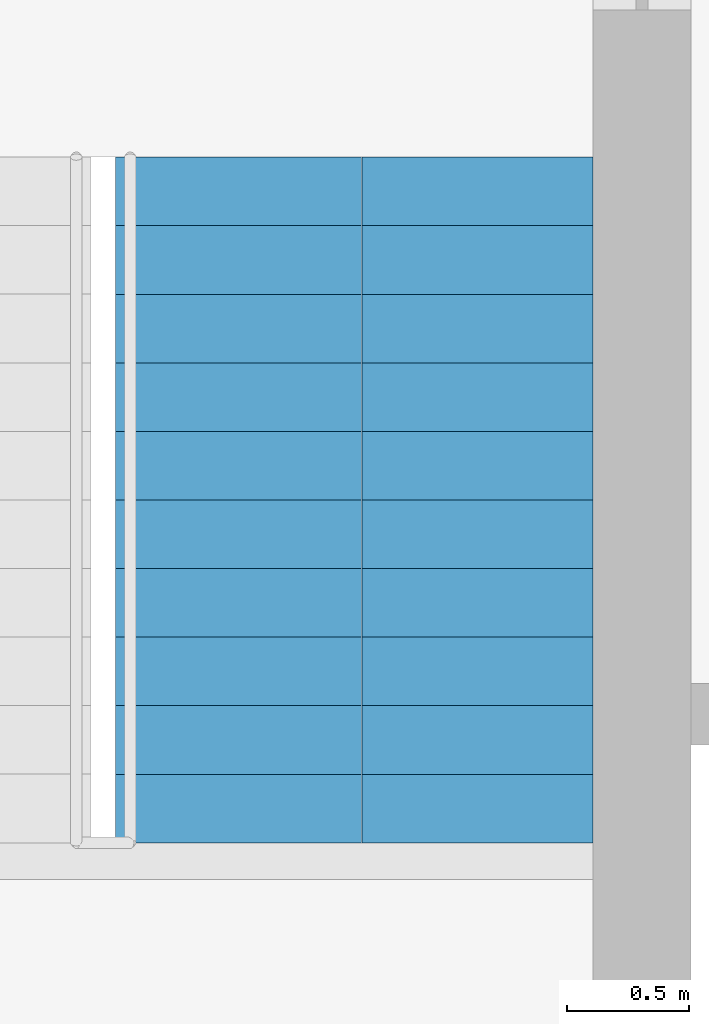
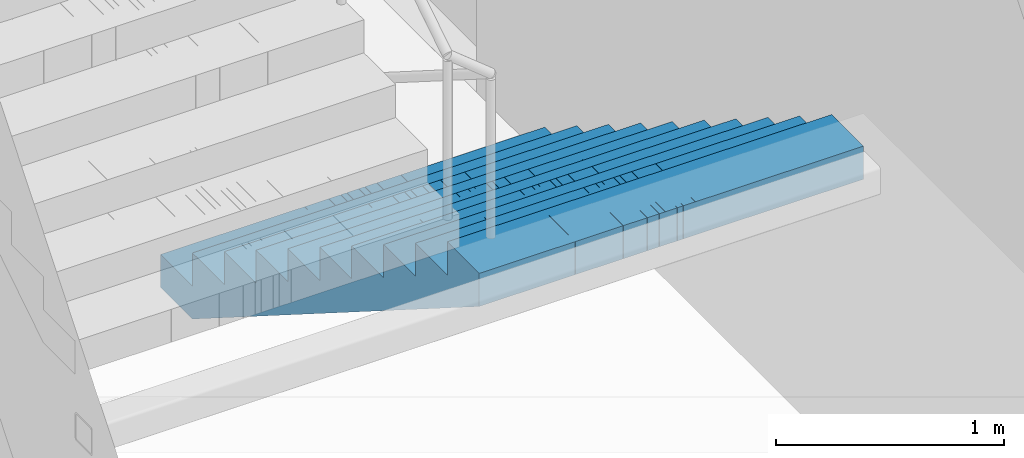
# One storey, part 15 of 16: 1 stair flight, 1 element without a shape of its own.
"""IFC4 building model written with IfcOpenShell, lengths in metres."""

from ifc_helpers import new_model, si_unit, direction, frame, origin, place, context, subcontext, project, spatial, polyline, outline, extrude, material, type_object, element, aggregate, save


model = new_model("IFC4")

# Units and contexts
model_context = context("Model", 3, precision=1e-05, world=origin(), true_north=direction((0.0, 1.0)))
body_context = subcontext(model_context, "Body", "Model", "MODEL_VIEW")
ifc_project = project(units=[si_unit("LENGTHUNIT", "METRE"), si_unit("AREAUNIT", "SQUARE_METRE"), si_unit("VOLUMEUNIT", "CUBIC_METRE"), si_unit("PLANEANGLEUNIT", "RADIAN"), si_unit("MASSUNIT", "GRAM", prefix="KILO")], contexts=[model_context])

# Site, building, storey
site_placement = place(None, origin())
site = spatial("IfcSite", under=ifc_project, at=site_placement, CompositionType="ELEMENT")
building_placement = place(site_placement, origin())
building = spatial("IfcBuilding", under=site, at=building_placement, Name="Mizan Broadcast Tower", CompositionType="ELEMENT")
storey_placement = place(building_placement, frame((0.0, 0.0, 290.699951171875)))
storey = spatial("IfcBuildingStorey", under=building, at=storey_placement, Name="L69", CompositionType="ELEMENT", Elevation=290.699951171875)

# Stair, stair flight
ifc_material_1 = material(Name="Concrete C40/50", Category="concrete")
stair_type = type_object("IfcStairType", Name="EXIT STAIR", PredefinedType="HALF_TURN_STAIR", material=ifc_material_1)
stair_placement = place(storey_placement, origin())
stair = element("IfcStair", 1, at=stair_placement, inside=storey, type_object=stair_type, Name="Stair B L69", PredefinedType="HALF_TURN_STAIR")
ifc_material_2 = material(Name="Concrete C40/50", Category="concrete")
stair_flight_type = type_object("IfcStairFlightType", Name="EXIT STAIR FLIGHT", PredefinedType="STRAIGHT", material=ifc_material_2)
stair_flight_placement = place(storey_placement, frame((1.02490234375, 7.89990234375, 0.0), z_axis=(0.0, 0.0, 1.0), x_axis=(0.0, -1.0, 0.0)))
stair_flight = element("IfcStairFlight", 2, at=stair_flight_placement, type_object=stair_flight_type, Name="B flight 1", NumberOfRisers=11, NumberOfTreads=10, PredefinedType="STRAIGHT", RiserHeight=0.177272727, TreadLength=0.28, context=body_context, shape_type="SweptSolid", body=[
    extrude(outline(polyline([(0.0, 0.0), (0.0, 0.17724609375), (0.280029296875, 0.17724609375), (0.280029296875, 0.3544921875), (0.56005859375, 0.3544921875), (0.56005859375, 0.53173828125), (0.840087890625, 0.53173828125), (0.840087890625, 0.708984375), (1.1201171875, 0.708984375), (1.1201171875, 0.886474609375), (1.39990234375, 0.886474609375), (1.39990234375, 1.063720703125), (1.679931640625, 1.063720703125), (1.679931640625, 1.240966796875), (1.9599609375, 1.240966796875), (1.9599609375, 1.418212890625), (2.239990234375, 1.418212890625), (2.239990234375, 1.595458984375), (2.52001953125, 1.595458984375), (2.52001953125, 1.772705078125), (2.800048828125, 1.772705078125), (2.800048828125, 1.949951171875), (2.800048828125, 1.59521484375), (0.2802734375, 0.0), (0.0, 0.0)])), frame((0.0, 0.97509765625, 0.0), z_axis=(0.0, -1.0, 0.0), x_axis=(1.0, 0.0, 0.0)), (0.0, 0.0, 1.0), 0.4873046875),
    extrude(outline(polyline([(0.0, 0.0), (0.0, 0.17724609375), (0.280029296875, 0.17724609375), (0.280029296875, 0.3544921875), (0.56005859375, 0.3544921875), (0.56005859375, 0.53173828125), (0.840087890625, 0.53173828125), (0.840087890625, 0.708984375), (1.1201171875, 0.708984375), (1.1201171875, 0.886474609375), (1.39990234375, 0.886474609375), (1.39990234375, 1.063720703125), (1.679931640625, 1.063720703125), (1.679931640625, 1.240966796875), (1.9599609375, 1.240966796875), (1.9599609375, 1.418212890625), (2.239990234375, 1.418212890625), (2.239990234375, 1.595458984375), (2.52001953125, 1.595458984375), (2.52001953125, 1.772705078125), (2.800048828125, 1.772705078125), (2.800048828125, 1.949951171875), (2.800048828125, 1.59521484375), (0.2802734375, 0.0), (0.0, 0.0)])), frame((0.0, 0.4873046875, 0.0), z_axis=(0.0, -1.0, 0.0), x_axis=(1.0, 0.0, 0.0)), (0.0, 0.0, 1.0), 0.2431640625),
    extrude(outline(polyline([(0.0, 0.0), (0.0, 0.17724609375), (0.280029296875, 0.17724609375), (0.280029296875, 0.3544921875), (0.56005859375, 0.3544921875), (0.56005859375, 0.53173828125), (0.840087890625, 0.53173828125), (0.840087890625, 0.708984375), (1.1201171875, 0.708984375), (1.1201171875, 0.886474609375), (1.39990234375, 0.886474609375), (1.39990234375, 1.063720703125), (1.679931640625, 1.063720703125), (1.679931640625, 1.240966796875), (1.9599609375, 1.240966796875), (1.9599609375, 1.418212890625), (2.239990234375, 1.418212890625), (2.239990234375, 1.595458984375), (2.52001953125, 1.595458984375), (2.52001953125, 1.772705078125), (2.800048828125, 1.772705078125), (2.800048828125, 1.949951171875), (2.800048828125, 1.59521484375), (0.2802734375, 0.0), (0.0, 0.0)])), frame((0.0, 0.24365234375, 0.0), z_axis=(0.0, -1.0, 0.0), x_axis=(1.0, 0.0, 0.0)), (0.0, 0.0, 1.0), 0.121337890625),
    extrude(outline(polyline([(0.0, 0.0), (0.0, 0.17724609375), (0.280029296875, 0.17724609375), (0.280029296875, 0.3544921875), (0.56005859375, 0.3544921875), (0.56005859375, 0.53173828125), (0.840087890625, 0.53173828125), (0.840087890625, 0.708984375), (1.1201171875, 0.708984375), (1.1201171875, 0.886474609375), (1.39990234375, 0.886474609375), (1.39990234375, 1.063720703125), (1.679931640625, 1.063720703125), (1.679931640625, 1.240966796875), (1.9599609375, 1.240966796875), (1.9599609375, 1.418212890625), (2.239990234375, 1.418212890625), (2.239990234375, 1.595458984375), (2.52001953125, 1.595458984375), (2.52001953125, 1.772705078125), (2.800048828125, 1.772705078125), (2.800048828125, 1.949951171875), (2.800048828125, 1.59521484375), (0.2802734375, 0.0), (0.0, 0.0)])), frame((0.0, 0.121826171875, 0.0), z_axis=(0.0, -1.0, 0.0), x_axis=(1.0, 0.0, 0.0)), (0.0, 0.0, 1.0), 0.060546875),
    extrude(outline(polyline([(0.0, 0.0), (0.0, 0.17724609375), (0.280029296875, 0.17724609375), (0.280029296875, 0.3544921875), (0.56005859375, 0.3544921875), (0.56005859375, 0.53173828125), (0.840087890625, 0.53173828125), (0.840087890625, 0.708984375), (1.1201171875, 0.708984375), (1.1201171875, 0.886474609375), (1.39990234375, 0.886474609375), (1.39990234375, 1.063720703125), (1.679931640625, 1.063720703125), (1.679931640625, 1.240966796875), (1.9599609375, 1.240966796875), (1.9599609375, 1.418212890625), (2.239990234375, 1.418212890625), (2.239990234375, 1.595458984375), (2.52001953125, 1.595458984375), (2.52001953125, 1.772705078125), (2.800048828125, 1.772705078125), (2.800048828125, 1.949951171875), (2.800048828125, 1.59521484375), (0.2802734375, 0.0), (0.0, 0.0)])), frame((0.0, 0.060791015625, 0.0), z_axis=(0.0, -1.0, 0.0), x_axis=(1.0, 0.0, 0.0)), (0.0, 0.0, 1.0), 0.030029296875),
    extrude(outline(polyline([(0.0, 0.0), (0.0, 0.17724609375), (0.280029296875, 0.17724609375), (0.280029296875, 0.3544921875), (0.56005859375, 0.3544921875), (0.56005859375, 0.53173828125), (0.840087890625, 0.53173828125), (0.840087890625, 0.708984375), (1.1201171875, 0.708984375), (1.1201171875, 0.886474609375), (1.39990234375, 0.886474609375), (1.39990234375, 1.063720703125), (1.679931640625, 1.063720703125), (1.679931640625, 1.240966796875), (1.9599609375, 1.240966796875), (1.9599609375, 1.418212890625), (2.239990234375, 1.418212890625), (2.239990234375, 1.595458984375), (2.52001953125, 1.595458984375), (2.52001953125, 1.772705078125), (2.800048828125, 1.772705078125), (2.800048828125, 1.949951171875), (2.800048828125, 1.59521484375), (0.2802734375, 0.0), (0.0, 0.0)])), frame((0.0, 0.0302734375, 0.0), z_axis=(0.0, -1.0, 0.0), x_axis=(1.0, 0.0, 0.0)), (0.0, 0.0, 1.0), 0.060302734375),
    extrude(outline(polyline([(0.0, 0.0), (0.0, 0.17724609375), (0.280029296875, 0.17724609375), (0.280029296875, 0.3544921875), (0.56005859375, 0.3544921875), (0.56005859375, 0.53173828125), (0.840087890625, 0.53173828125), (0.840087890625, 0.708984375), (1.1201171875, 0.708984375), (1.1201171875, 0.886474609375), (1.39990234375, 0.886474609375), (1.39990234375, 1.063720703125), (1.679931640625, 1.063720703125), (1.679931640625, 1.240966796875), (1.9599609375, 1.240966796875), (1.9599609375, 1.418212890625), (2.239990234375, 1.418212890625), (2.239990234375, 1.595458984375), (2.52001953125, 1.595458984375), (2.52001953125, 1.772705078125), (2.800048828125, 1.772705078125), (2.800048828125, 1.949951171875), (2.800048828125, 1.59521484375), (0.2802734375, 0.0), (0.0, 0.0)])), frame((0.0, -0.030517578125, 0.0), z_axis=(0.0, -1.0, 0.0), x_axis=(1.0, 0.0, 0.0)), (0.0, 0.0, 1.0), 0.030029296875),
    extrude(outline(polyline([(0.0, 0.0), (0.0, 0.17724609375), (0.280029296875, 0.17724609375), (0.280029296875, 0.3544921875), (0.56005859375, 0.3544921875), (0.56005859375, 0.53173828125), (0.840087890625, 0.53173828125), (0.840087890625, 0.708984375), (1.1201171875, 0.708984375), (1.1201171875, 0.886474609375), (1.39990234375, 0.886474609375), (1.39990234375, 1.063720703125), (1.679931640625, 1.063720703125), (1.679931640625, 1.240966796875), (1.9599609375, 1.240966796875), (1.9599609375, 1.418212890625), (2.239990234375, 1.418212890625), (2.239990234375, 1.595458984375), (2.52001953125, 1.595458984375), (2.52001953125, 1.772705078125), (2.800048828125, 1.772705078125), (2.800048828125, 1.949951171875), (2.800048828125, 1.59521484375), (0.2802734375, 0.0), (0.0, 0.0)])), frame((0.0, -0.06103515625, 0.0), z_axis=(0.0, -1.0, 0.0), x_axis=(1.0, 0.0, 0.0)), (0.0, 0.0, 1.0), 0.060546875),
    extrude(outline(polyline([(0.0, 0.0), (0.0, 0.17724609375), (0.280029296875, 0.17724609375), (0.280029296875, 0.3544921875), (0.56005859375, 0.3544921875), (0.56005859375, 0.53173828125), (0.840087890625, 0.53173828125), (0.840087890625, 0.708984375), (1.1201171875, 0.708984375), (1.1201171875, 0.886474609375), (1.39990234375, 0.886474609375), (1.39990234375, 1.063720703125), (1.679931640625, 1.063720703125), (1.679931640625, 1.240966796875), (1.9599609375, 1.240966796875), (1.9599609375, 1.418212890625), (2.239990234375, 1.418212890625), (2.239990234375, 1.595458984375), (2.52001953125, 1.595458984375), (2.52001953125, 1.772705078125), (2.800048828125, 1.772705078125), (2.800048828125, 1.949951171875), (2.800048828125, 1.59521484375), (0.2802734375, 0.0), (0.0, 0.0)])), frame((0.0, -0.1220703125, 0.0), z_axis=(0.0, -1.0, 0.0), x_axis=(1.0, 0.0, 0.0)), (0.0, 0.0, 1.0), 0.121337890625),
    extrude(outline(polyline([(0.0, 0.0), (0.0, 0.17724609375), (0.280029296875, 0.17724609375), (0.280029296875, 0.3544921875), (0.56005859375, 0.3544921875), (0.56005859375, 0.53173828125), (0.840087890625, 0.53173828125), (0.840087890625, 0.708984375), (1.1201171875, 0.708984375), (1.1201171875, 0.886474609375), (1.39990234375, 0.886474609375), (1.39990234375, 1.063720703125), (1.679931640625, 1.063720703125), (1.679931640625, 1.240966796875), (1.9599609375, 1.240966796875), (1.9599609375, 1.418212890625), (2.239990234375, 1.418212890625), (2.239990234375, 1.595458984375), (2.52001953125, 1.595458984375), (2.52001953125, 1.772705078125), (2.800048828125, 1.772705078125), (2.800048828125, 1.949951171875), (2.800048828125, 1.59521484375), (0.2802734375, 0.0), (0.0, 0.0)])), frame((0.0, -0.243896484375, 0.0), z_axis=(0.0, -1.0, 0.0), x_axis=(1.0, 0.0, 0.0)), (0.0, 0.0, 1.0), 0.2431640625),
    extrude(outline(polyline([(0.0, 0.0), (0.0, 0.17724609375), (0.280029296875, 0.17724609375), (0.280029296875, 0.3544921875), (0.56005859375, 0.3544921875), (0.56005859375, 0.53173828125), (0.840087890625, 0.53173828125), (0.840087890625, 0.708984375), (1.1201171875, 0.708984375), (1.1201171875, 0.886474609375), (1.39990234375, 0.886474609375), (1.39990234375, 1.063720703125), (1.679931640625, 1.063720703125), (1.679931640625, 1.240966796875), (1.9599609375, 1.240966796875), (1.9599609375, 1.418212890625), (2.239990234375, 1.418212890625), (2.239990234375, 1.595458984375), (2.52001953125, 1.595458984375), (2.52001953125, 1.772705078125), (2.800048828125, 1.772705078125), (2.800048828125, 1.949951171875), (2.800048828125, 1.59521484375), (0.2802734375, 0.0), (0.0, 0.0)])), frame((0.0, -0.487548828125, 0.0), z_axis=(0.0, -1.0, 0.0), x_axis=(1.0, 0.0, 0.0)), (0.0, 0.0, 1.0), 0.4873046875),
])
aggregate(stair, [stair_flight])

save(model, "model.ifc")
